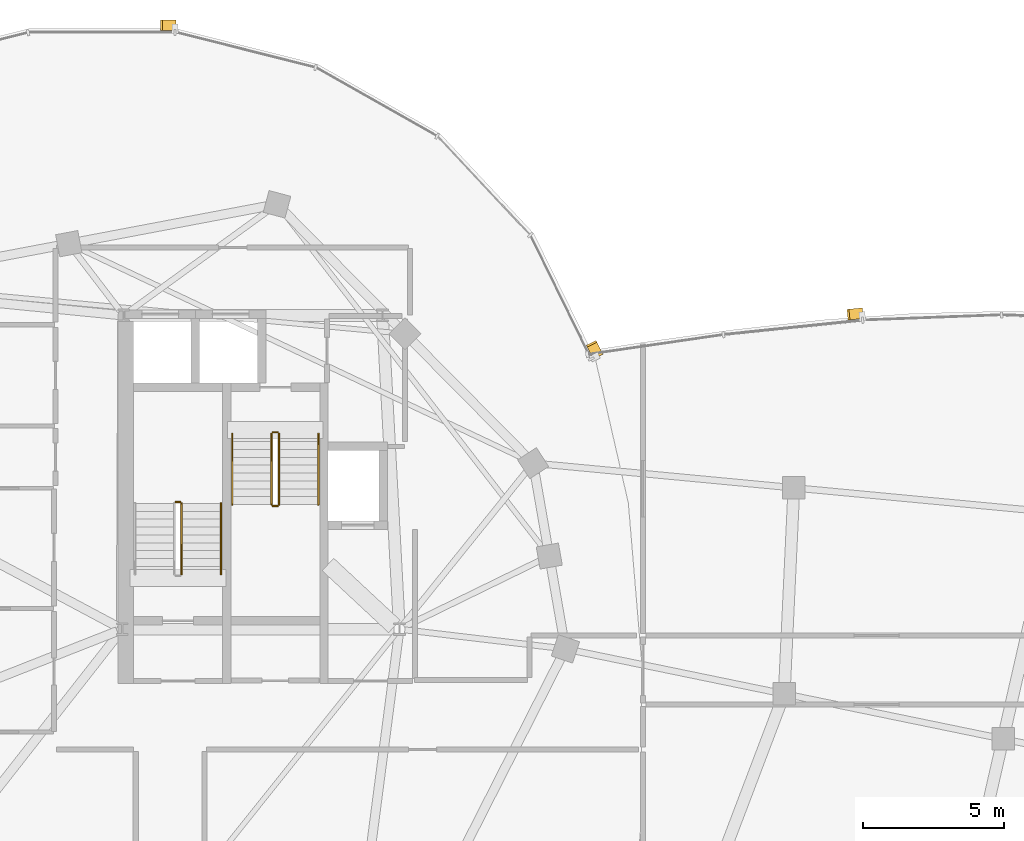
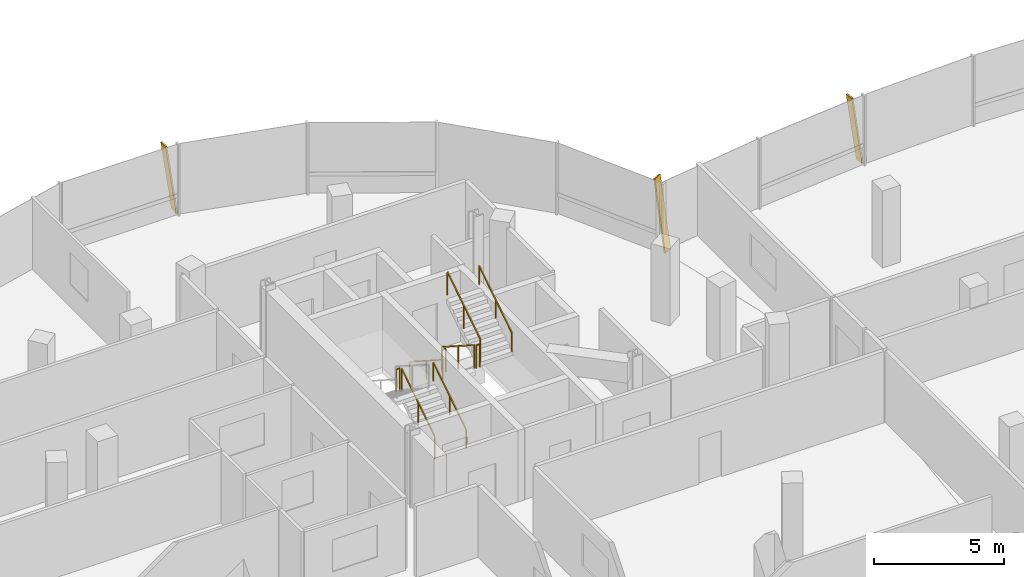
# One storey, part 23 of 25: 9 railings, 3 shading devices.
"""IFC4 building model written with IfcOpenShell, lengths in metres."""

from ifc_helpers import new_model, si_unit, direction, frame, origin, origin_2d, place, context, subcontext, project, spatial, rectangle, extrude, material, material_profile, profile_set, type_object, element, save


model = new_model("IFC4")

# Units and contexts
model_context = context("Model", 3, precision=1e-05, world=origin(), true_north=direction((0.0, 1.0)))
body_context = subcontext(model_context, "Body", "Model", "MODEL_VIEW")
ifc_project = project(units=[si_unit("LENGTHUNIT", "METRE"), si_unit("AREAUNIT", "SQUARE_METRE"), si_unit("VOLUMEUNIT", "CUBIC_METRE"), si_unit("PLANEANGLEUNIT", "RADIAN"), si_unit("MASSUNIT", "GRAM", prefix="KILO"), si_unit("THERMODYNAMICTEMPERATUREUNIT", "KELVIN"), si_unit("POWERUNIT", "WATT")], contexts=[model_context])

# Site, building, storey
site_placement = place(None, origin())
site = spatial("IfcSite", under=ifc_project, at=site_placement, CompositionType="ELEMENT")
building_placement = place(site_placement, origin())
building = spatial("IfcBuilding", under=site, at=building_placement, Name="Cundina Bronze Exchange", CompositionType="ELEMENT")
storey_placement = place(building_placement, frame((0.0, 0.0, 257.60009765625)))
storey = spatial("IfcBuildingStorey", under=building, at=storey_placement, Name="L68", CompositionType="ELEMENT", Elevation=257.60009765625)

# Railings
ifc_material_1 = material(Name="Steel ASTM A36 Painted", Category="steel")
railing_type_1 = type_object("IfcRailingType", Name="RLG-HND-900", PredefinedType="HANDRAIL", material=ifc_material_1)
railing_1_placement = place(storey_placement, frame((-27.7900390625, 5.85009765625, 0.179931640625)))
element("IfcRailing", 1, at=railing_1_placement, inside=storey, type_object=railing_type_1, Name="L68 ST-W1 stair handrail 1", PredefinedType="HANDRAIL", context=body_context, shape_type="SweptSolid", body=[
    extrude(rectangle(XDim=0.048095703125, YDim=0.048095703125, at=origin_2d()), frame((0.0, 0.0, 0.8759765625), z_axis=(0.0, 0.841199657755, 0.540724639528), x_axis=(-1.0, 0.0, 0.0)), (0.0, 0.0, 1.0), 2.995849609375),
    extrude(rectangle(XDim=0.0419921875, YDim=0.0419921875, at=origin_2d()), origin(), (0.0, 0.0, 1.0), 0.851806640625),
    extrude(rectangle(XDim=0.0419921875, YDim=0.0419921875, at=origin_2d()), frame((0.0, 1.260009765625, 0.81005859375)), (0.0, 0.0, 1.0), 0.851806640625),
    extrude(rectangle(XDim=0.0419921875, YDim=0.0419921875, at=origin_2d()), frame((0.0, 2.52001953125, 1.619873046875)), (0.0, 0.0, 1.0), 0.851806640625),
])
railing_2_placement = place(storey_placement, frame((-27.389892578125, 10.85009765625, 0.179931640625)))
element("IfcRailing", 2, at=railing_2_placement, inside=storey, type_object=railing_type_1, Name="L68 ST-W2 stair handrail 1", PredefinedType="HANDRAIL", context=body_context, shape_type="SweptSolid", body=[
    extrude(rectangle(XDim=0.048095703125, YDim=0.048095703125, at=origin_2d()), frame((0.0, 0.0, 0.8759765625), z_axis=(0.0, -0.841199657755, 0.540724639528), x_axis=(1.0, 0.0, 0.0)), (0.0, 0.0, 1.0), 2.995849609375),
    extrude(rectangle(XDim=0.0419921875, YDim=0.0419921875, at=origin_2d()), origin(), (0.0, 0.0, 1.0), 0.851806640625),
    extrude(rectangle(XDim=0.0419921875, YDim=0.0419921875, at=origin_2d()), frame((0.0, -1.260009765625, 0.81005859375)), (0.0, 0.0, 1.0), 0.851806640625),
    extrude(rectangle(XDim=0.0419921875, YDim=0.0419921875, at=origin_2d()), frame((0.0, -2.52001953125, 1.619873046875)), (0.0, 0.0, 1.0), 0.851806640625),
])
railing_3_placement = place(storey_placement, frame((-24.330078125, 8.330078125, 1.97998046875)))
element("IfcRailing", 3, at=railing_3_placement, inside=storey, type_object=railing_type_1, Name="L68 ST-W2 stair handrail 2", PredefinedType="HANDRAIL", context=body_context, shape_type="SweptSolid", body=[
    extrude(rectangle(XDim=0.048095703125, YDim=0.048095703125, at=origin_2d()), frame((0.0, 0.0, 0.8759765625), z_axis=(0.0, 0.841199657755, 0.540724639528), x_axis=(-1.0, 0.0, 0.0)), (0.0, 0.0, 1.0), 2.995849609375),
    extrude(rectangle(XDim=0.0419921875, YDim=0.0419921875, at=origin_2d()), origin(), (0.0, 0.0, 1.0), 0.851806640625),
    extrude(rectangle(XDim=0.0419921875, YDim=0.0419921875, at=origin_2d()), frame((0.0, 1.260009765625, 0.81005859375)), (0.0, 0.0, 1.0), 0.851806640625),
    extrude(rectangle(XDim=0.0419921875, YDim=0.0419921875, at=origin_2d()), frame((0.0, 2.52001953125, 1.619873046875)), (0.0, 0.0, 1.0), 0.851806640625),
])
railing_type_2 = type_object("IfcRailingType", Name="RLG-STG-1100", PredefinedType="GUARDRAIL", material=ifc_material_1)
railing_4_placement = place(storey_placement, frame((-29.18994140625, 5.85009765625, 0.179931640625)))
element("IfcRailing", 4, at=railing_4_placement, inside=storey, type_object=railing_type_2, Name="L68 ST-W1 stair guard 1", PredefinedType="GUARDRAIL", context=body_context, shape_type="SweptSolid", body=[
    extrude(rectangle(XDim=0.048095703125, YDim=0.048095703125, at=origin_2d()), frame((0.0, 0.0, 1.076171875), z_axis=(0.0, 0.841199657755, 0.540724639528), x_axis=(-1.0, 0.0, 0.0)), (0.0, 0.0, 1.0), 2.995849609375),
    extrude(rectangle(XDim=0.0419921875, YDim=0.0419921875, at=origin_2d()), origin(), (0.0, 0.0, 1.0), 1.052001953125),
    extrude(rectangle(XDim=0.0419921875, YDim=0.0419921875, at=origin_2d()), frame((0.0, 1.260009765625, 0.81005859375)), (0.0, 0.0, 1.0), 1.052001953125),
    extrude(rectangle(XDim=0.0419921875, YDim=0.0419921875, at=origin_2d()), frame((0.0, 2.52001953125, 1.619873046875)), (0.0, 0.0, 1.0), 1.052001953125),
])
railing_5_placement = place(storey_placement, frame((-29.239990234375, 8.419921875, 1.7998046875)))
element("IfcRailing", 5, at=railing_5_placement, inside=storey, type_object=railing_type_2, Name="L68 ST-W1 stair guard 2", PredefinedType="GUARDRAIL", context=body_context, shape_type="SweptSolid", body=[
    extrude(rectangle(XDim=0.048095703125, YDim=0.048095703125, at=origin_2d()), frame((0.0, 0.0, 1.076171875), z_axis=(-1.0, 0.0, 0.0), x_axis=(0.0, -1.0, 0.0)), (0.0, 0.0, 1.0), 0.159912109375),
    extrude(rectangle(XDim=0.0419921875, YDim=0.0419921875, at=origin_2d()), origin(), (0.0, 0.0, 1.0), 1.052001953125),
    extrude(rectangle(XDim=0.0419921875, YDim=0.0419921875, at=origin_2d()), frame((-0.159912109375, 0.0, 0.0)), (0.0, 0.0, 1.0), 1.052001953125),
])
railing_6_placement = place(storey_placement, frame((-25.989990234375, 10.85009765625, 0.179931640625)))
element("IfcRailing", 6, at=railing_6_placement, inside=storey, type_object=railing_type_2, Name="L68 ST-W2 stair guard 1", PredefinedType="GUARDRAIL", context=body_context, shape_type="SweptSolid", body=[
    extrude(rectangle(XDim=0.048095703125, YDim=0.048095703125, at=origin_2d()), frame((0.0, 0.0, 1.076171875), z_axis=(0.0, -0.841199657755, 0.540724639528), x_axis=(1.0, 0.0, 0.0)), (0.0, 0.0, 1.0), 2.995849609375),
    extrude(rectangle(XDim=0.0419921875, YDim=0.0419921875, at=origin_2d()), origin(), (0.0, 0.0, 1.0), 1.052001953125),
    extrude(rectangle(XDim=0.0419921875, YDim=0.0419921875, at=origin_2d()), frame((0.0, -1.260009765625, 0.81005859375)), (0.0, 0.0, 1.0), 1.052001953125),
    extrude(rectangle(XDim=0.0419921875, YDim=0.0419921875, at=origin_2d()), frame((0.0, -2.52001953125, 1.619873046875)), (0.0, 0.0, 1.0), 1.052001953125),
])
railing_7_placement = place(storey_placement, frame((-25.93994140625, 8.280029296875, 1.7998046875)))
element("IfcRailing", 7, at=railing_7_placement, inside=storey, type_object=railing_type_2, Name="L68 ST-W2 stair guard 2", PredefinedType="GUARDRAIL", context=body_context, shape_type="SweptSolid", body=[
    extrude(rectangle(XDim=0.048095703125, YDim=0.048095703125, at=origin_2d()), frame((0.0, 0.0, 1.076171875), z_axis=(1.0, 0.0, 0.0), x_axis=(0.0, 1.0, 0.0)), (0.0, 0.0, 1.0), 0.159912109375),
    extrude(rectangle(XDim=0.0419921875, YDim=0.0419921875, at=origin_2d()), origin(), (0.0, 0.0, 1.0), 1.052001953125),
    extrude(rectangle(XDim=0.0419921875, YDim=0.0419921875, at=origin_2d()), frame((0.159912109375, 0.0, 0.0)), (0.0, 0.0, 1.0), 1.052001953125),
])
railing_8_placement = place(storey_placement, frame((-25.72998046875, 8.330078125, 1.97998046875)))
element("IfcRailing", 8, at=railing_8_placement, inside=storey, type_object=railing_type_2, Name="L68 ST-W2 stair guard 3", PredefinedType="GUARDRAIL", context=body_context, shape_type="SweptSolid", body=[
    extrude(rectangle(XDim=0.048095703125, YDim=0.048095703125, at=origin_2d()), frame((0.0, 0.0, 1.076171875), z_axis=(0.0, 0.841199657755, 0.540724639528), x_axis=(-1.0, 0.0, 0.0)), (0.0, 0.0, 1.0), 2.995849609375),
    extrude(rectangle(XDim=0.0419921875, YDim=0.0419921875, at=origin_2d()), origin(), (0.0, 0.0, 1.0), 1.052001953125),
    extrude(rectangle(XDim=0.0419921875, YDim=0.0419921875, at=origin_2d()), frame((0.0, 1.260009765625, 0.81005859375)), (0.0, 0.0, 1.0), 1.052001953125),
    extrude(rectangle(XDim=0.0419921875, YDim=0.0419921875, at=origin_2d()), frame((0.0, 2.52001953125, 1.619873046875)), (0.0, 0.0, 1.0), 1.052001953125),
])
railing_9_placement = place(storey_placement, frame((-25.93994140625, 10.89990234375, 0.0)))
element("IfcRailing", 9, at=railing_9_placement, inside=storey, type_object=railing_type_2, Name="L68 ST-W2 stair guard 4", PredefinedType="GUARDRAIL", context=body_context, shape_type="SweptSolid", body=[
    extrude(rectangle(XDim=0.048095703125, YDim=0.048095703125, at=origin_2d()), frame((0.0, 0.0, 1.076171875), z_axis=(1.0, 0.0, 0.0), x_axis=(0.0, 1.0, 0.0)), (0.0, 0.0, 1.0), 0.159912109375),
    extrude(rectangle(XDim=0.0419921875, YDim=0.0419921875, at=origin_2d()), origin(), (0.0, 0.0, 1.0), 1.052001953125),
    extrude(rectangle(XDim=0.0419921875, YDim=0.0419921875, at=origin_2d()), frame((0.159912109375, 0.0, 0.0)), (0.0, 0.0, 1.0), 1.052001953125),
])

# Shading devices
ifc_material_2 = material(Name="Anodised Bronze Aluminium 6063-T6", Category="aluminium")
ifc_material_profile = material_profile(ifc_material_2, rectangle(XDim=0.070068359375, YDim=0.3798828125, at=origin_2d()), Name="FIN70X380", Category="aluminium")
ifc_profile_set = profile_set([ifc_material_profile], Name="Anodised Bronze Aluminium 6063-T6")
shading_device_type = type_object("IfcShadingDeviceType", Name="SHD-FIN-BRZ380", PredefinedType="USERDEFINED", material=ifc_profile_set)
for number, where, z_axis, x_axis, name in (
    (10, (-14.406494140625, 13.614013671875, 0.02001953125), (-0.06340496231, 0.129226049049, 0.989585993738), (0.435899643486, -0.888409781469, 0.143942908816), "L68 Diagonal Bronze Solar Fin 1"),
    (11, (-29.423583984375, 25.360107421875, 0.02001953125), (-0.143942452949, 0.0, 0.989586060047), (0.989586060047, 0.0, 0.143942452949), "L68 Diagonal Bronze Solar Fin 5"),
):
    element("IfcShadingDevice", number, at=place(storey_placement, frame(where, z_axis=z_axis, x_axis=x_axis)), inside=storey, type_object=shading_device_type, Name=name, ObjectType="FIN", PredefinedType="USERDEFINED", context=body_context, shape_type="SweptSolid", body=[
        extrude(rectangle(XDim=0.070068359375, YDim=0.3798828125, at=origin_2d()), origin(), (0.0, 0.0, 1.0), 3.33447265625),
    ])
shading_device_placement = place(storey_placement, frame((-5.0146484375, 15.12890625, 0.02001953125), z_axis=(-0.145724273631, -0.015056932621, 0.989210657471), x_axis=(0.983972150742, 0.101668733734, 0.14650008582)))
element("IfcShadingDevice", 12, at=shading_device_placement, inside=storey, type_object=shading_device_type, Name="L68 Diagonal Bronze Solar Fin 5", ObjectType="FIN", PredefinedType="USERDEFINED", context=body_context, shape_type="SweptSolid", body=[
    extrude(rectangle(XDim=0.070068359375, YDim=0.3798828125, at=origin_2d()), origin(), (0.0, 0.0, 1.0), 3.275390625),
])

save(model, "model.ifc")
